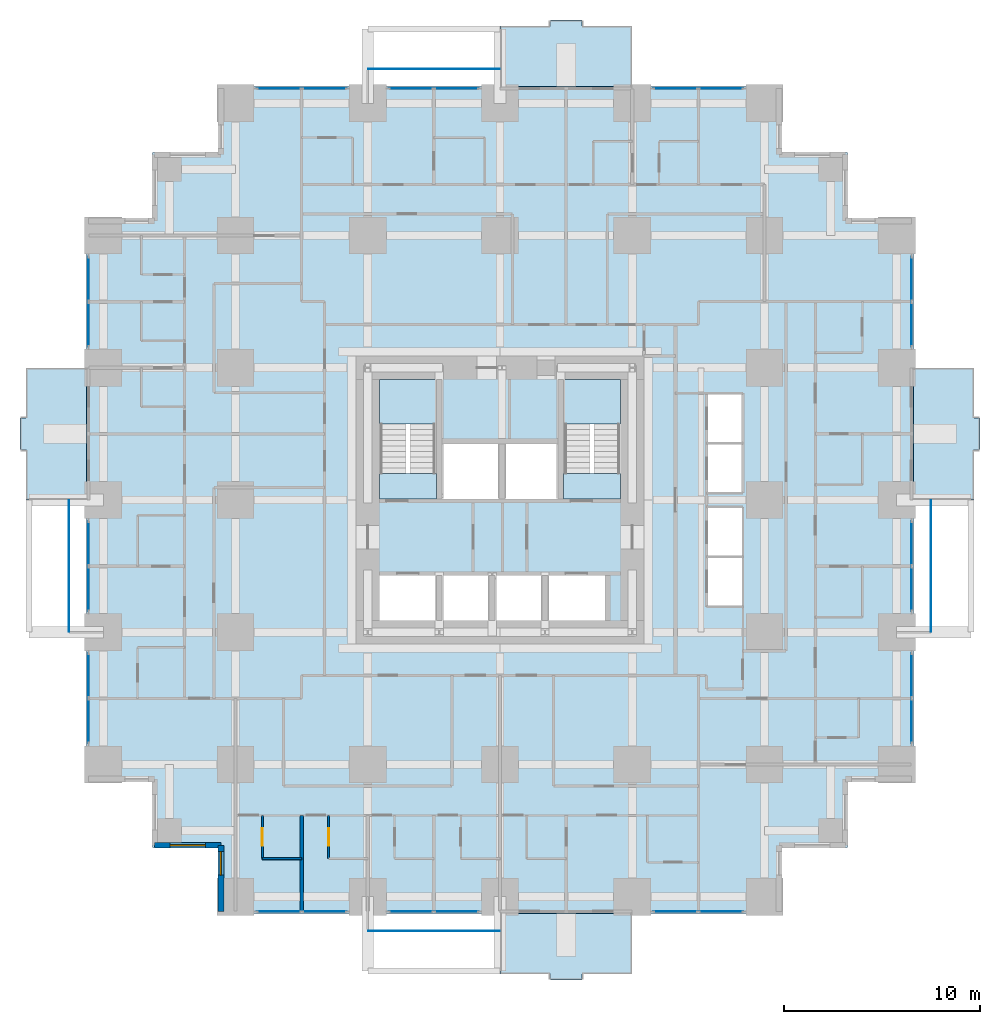
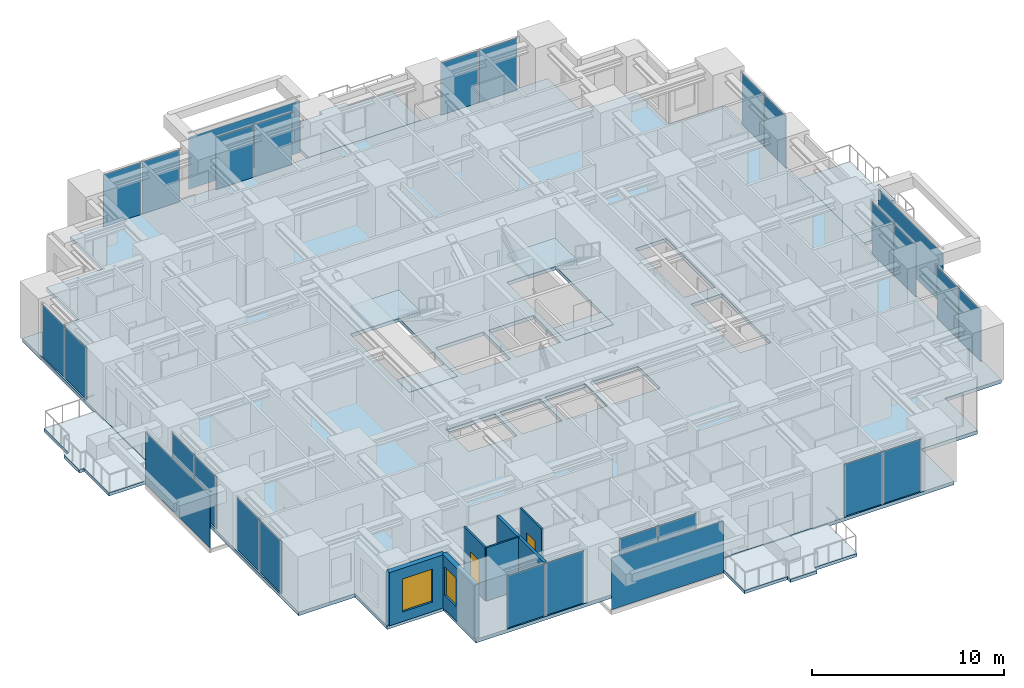
# One storey, part 7 of 14: 28 plates, 9 slabs, 6 walls, 2 doors, 2 windows, 4 openings, 14 elements without a shape of their own.
"""IFC4 building model written with IfcOpenShell, lengths in metres."""

from ifc_helpers import new_model, si_unit, direction, frame, frame_2d, origin, origin_2d, place, context, subcontext, project, spatial, polyline, rectangle, outline, extrude, material, layer, layer_set, type_object, element, fill, aggregate, save


model = new_model("IFC4")

# Units and contexts
model_context = context("Model", 3, precision=1e-05, world=origin(), true_north=direction((0.0, 1.0)))
body_context = subcontext(model_context, "Body", "Model", "MODEL_VIEW")
ifc_project = project(units=[si_unit("LENGTHUNIT", "METRE"), si_unit("AREAUNIT", "SQUARE_METRE"), si_unit("VOLUMEUNIT", "CUBIC_METRE"), si_unit("PLANEANGLEUNIT", "RADIAN"), si_unit("MASSUNIT", "GRAM", prefix="KILO")], contexts=[model_context])

# Site, building, storey
site_placement = place(None, origin())
site = spatial("IfcSite", under=ifc_project, at=site_placement, CompositionType="ELEMENT")
building_placement = place(site_placement, origin())
building = spatial("IfcBuilding", under=site, at=building_placement, Name="Nyansa Garden Tower", CompositionType="ELEMENT")
storey_placement = place(building_placement, frame((0.0, 0.0, 21.60009765625)))
storey = spatial("IfcBuildingStorey", under=building, at=storey_placement, Name="L05", CompositionType="ELEMENT", Elevation=21.60009765625)

# Slabs
ifc_material_1 = material(Name="Concrete C40/50", Category="concrete")
ifc_layer_1 = layer(ifc_material_1, 0.199951171875)
ifc_layer_set_1 = layer_set([ifc_layer_1], Name="Balcony slab BS200")
slab_type_1 = type_object("IfcSlabType", Name="Balcony slab BS200", PredefinedType="FLOOR", material=ifc_layer_set_1)
slab_1_placement = place(storey_placement, frame((0.0, 0.0, -0.239990234375)))
element("IfcSlab", 1, at=slab_1_placement, inside=storey, type_object=slab_type_1, Name="Balcony L05 S", PredefinedType="FLOOR", context=body_context, shape_type="SweptSolid", body=[
    extrude(outline(polyline([(20.25, -0.85009765625), (27.0, -0.85009765625), (27.0, -3.949951171875), (24.425048828125, -3.949951171875), (24.425048828125, -4.25), (22.824951171875, -4.25), (22.824951171875, -3.949951171875), (20.25, -3.949951171875), (20.25, -0.85009765625)])), origin(), (0.0, 0.0, 1.0), 0.199951171875),
])
slab_2_placement = place(storey_placement, frame((0.0, 0.0, -0.239990234375)))
element("IfcSlab", 2, at=slab_2_placement, inside=storey, type_object=slab_type_1, Name="Balcony L05 E", PredefinedType="FLOOR", context=body_context, shape_type="SweptSolid", body=[
    extrude(outline(polyline([(41.35009765625, 20.25), (41.35009765625, 27.0), (44.449951171875, 27.0), (44.449951171875, 24.425048828125), (44.75, 24.425048828125), (44.75, 22.824951171875), (44.449951171875, 22.824951171875), (44.449951171875, 20.25), (41.35009765625, 20.25)])), origin(), (0.0, 0.0, 1.0), 0.199951171875),
])
slab_3_placement = place(storey_placement, frame((0.0, 0.0, -0.239990234375)))
element("IfcSlab", 3, at=slab_3_placement, inside=storey, type_object=slab_type_1, Name="Balcony L05 N", PredefinedType="FLOOR", context=body_context, shape_type="SweptSolid", body=[
    extrude(outline(polyline([(20.25, 41.35009765625), (27.0, 41.35009765625), (27.0, 44.449951171875), (24.425048828125, 44.449951171875), (24.425048828125, 44.75), (22.824951171875, 44.75), (22.824951171875, 44.449951171875), (20.25, 44.449951171875), (20.25, 41.35009765625)])), origin(), (0.0, 0.0, 1.0), 0.199951171875),
])
slab_4_placement = place(storey_placement, frame((0.0, 0.0, -0.239990234375)))
element("IfcSlab", 4, at=slab_4_placement, inside=storey, type_object=slab_type_1, Name="Balcony L05 W", PredefinedType="FLOOR", context=body_context, shape_type="SweptSolid", body=[
    extrude(outline(polyline([(-0.85009765625, 20.25), (-0.85009765625, 27.0), (-3.949951171875, 27.0), (-3.949951171875, 24.425048828125), (-4.25, 24.425048828125), (-4.25, 22.824951171875), (-3.949951171875, 22.824951171875), (-3.949951171875, 20.25), (-0.85009765625, 20.25)])), origin(), (0.0, 0.0, 1.0), 0.199951171875),
])

# Curtain wall, plates
ifc_material_2 = material(Name="Black anodised aluminium, dark tinted double glazing", Category="aluminium")
curtain_wall_type = type_object("IfcCurtainWallType", Name="Inner skin curtain wall ISW-A", PredefinedType="USERDEFINED", material=ifc_material_2)
curtain_wall_1_placement = place(storey_placement, origin())
curtain_wall_1 = element("IfcCurtainWall", 5, at=curtain_wall_1_placement, inside=storey, type_object=curtain_wall_type, Name="Inner skin curtain wall L05 E", ObjectType="UNITISED CURTAIN WALL", PredefinedType="USERDEFINED")
ifc_material_3 = material(Name="Dark tinted laminated double glazing", Category="glass")
ifc_layer_2 = layer(ifc_material_3, 0.031982421875)
ifc_layer_set_2 = layer_set([ifc_layer_2], Name="Dark tinted vision panel VP-A")
plate_type_1 = type_object("IfcPlateType", Name="Dark tinted vision panel VP-A", PredefinedType="CURTAIN_PANEL", material=ifc_layer_set_2)
plate_1_placement = place(storey_placement, frame((41.25, 8.96240234375, -0.000244140625), z_axis=(0.0, 0.0, 1.0), x_axis=(0.0, 1.0, 0.0)))
plate_1 = element("IfcPlate", 6, at=plate_1_placement, type_object=plate_type_1, Name="ISW-A panel 1", PredefinedType="CURTAIN_PANEL", context=body_context, shape_type="SweptSolid", body=[
    extrude(rectangle(XDim=2.260009765625, YDim=0.031982421875, at=origin_2d()), origin(), (0.0, 0.0, 1.0), 3.31005859375),
])
plate_2_placement = place(storey_placement, frame((41.25, 11.28759765625, -0.000244140625), z_axis=(0.0, 0.0, 1.0), x_axis=(0.0, 1.0, 0.0)))
plate_2 = element("IfcPlate", 7, at=plate_2_placement, type_object=plate_type_1, Name="ISW-A panel 2", PredefinedType="CURTAIN_PANEL", context=body_context, shape_type="SweptSolid", body=[
    extrude(rectangle(XDim=2.260009765625, YDim=0.031982421875, at=origin_2d()), origin(), (0.0, 0.0, 1.0), 3.31005859375),
])
aggregate(curtain_wall_1, [plate_1, plate_2])

curtain_wall_2_placement = place(storey_placement, origin())
curtain_wall_2 = element("IfcCurtainWall", 8, at=curtain_wall_2_placement, inside=storey, type_object=curtain_wall_type, Name="Inner skin curtain wall L05 E", ObjectType="UNITISED CURTAIN WALL", PredefinedType="USERDEFINED")
plate_3_placement = place(storey_placement, frame((41.25, 15.71240234375, -0.000244140625), z_axis=(0.0, 0.0, 1.0), x_axis=(0.0, 1.0, 0.0)))
plate_3 = element("IfcPlate", 9, at=plate_3_placement, type_object=plate_type_1, Name="ISW-A panel 1", PredefinedType="CURTAIN_PANEL", context=body_context, shape_type="SweptSolid", body=[
    extrude(rectangle(XDim=2.260009765625, YDim=0.031982421875, at=origin_2d()), origin(), (0.0, 0.0, 1.0), 3.31005859375),
])
plate_4_placement = place(storey_placement, frame((41.25, 18.03759765625, -0.000244140625), z_axis=(0.0, 0.0, 1.0), x_axis=(0.0, 1.0, 0.0)))
plate_4 = element("IfcPlate", 10, at=plate_4_placement, type_object=plate_type_1, Name="ISW-A panel 2", PredefinedType="CURTAIN_PANEL", context=body_context, shape_type="SweptSolid", body=[
    extrude(rectangle(XDim=2.260009765625, YDim=0.031982421875, at=origin_2d()), origin(), (0.0, 0.0, 1.0), 3.31005859375),
])
aggregate(curtain_wall_2, [plate_3, plate_4])

curtain_wall_3_placement = place(storey_placement, origin())
curtain_wall_3 = element("IfcCurtainWall", 11, at=curtain_wall_3_placement, inside=storey, type_object=curtain_wall_type, Name="Inner skin curtain wall L05 E", ObjectType="UNITISED CURTAIN WALL", PredefinedType="USERDEFINED")
plate_5_placement = place(storey_placement, frame((41.25, 29.21240234375, -0.000244140625), z_axis=(0.0, 0.0, 1.0), x_axis=(0.0, 1.0, 0.0)))
plate_5 = element("IfcPlate", 12, at=plate_5_placement, type_object=plate_type_1, Name="ISW-A panel 1", PredefinedType="CURTAIN_PANEL", context=body_context, shape_type="SweptSolid", body=[
    extrude(rectangle(XDim=2.260009765625, YDim=0.031982421875, at=origin_2d()), origin(), (0.0, 0.0, 1.0), 3.31005859375),
])
plate_6_placement = place(storey_placement, frame((41.25, 31.53759765625, -0.000244140625), z_axis=(0.0, 0.0, 1.0), x_axis=(0.0, 1.0, 0.0)))
plate_6 = element("IfcPlate", 13, at=plate_6_placement, type_object=plate_type_1, Name="ISW-A panel 2", PredefinedType="CURTAIN_PANEL", context=body_context, shape_type="SweptSolid", body=[
    extrude(rectangle(XDim=2.260009765625, YDim=0.031982421875, at=origin_2d()), origin(), (0.0, 0.0, 1.0), 3.31005859375),
])
aggregate(curtain_wall_3, [plate_5, plate_6])

curtain_wall_4_placement = place(storey_placement, origin())
curtain_wall_4 = element("IfcCurtainWall", 14, at=curtain_wall_4_placement, inside=storey, type_object=curtain_wall_type, Name="Inner skin curtain wall L05 N", ObjectType="UNITISED CURTAIN WALL", PredefinedType="USERDEFINED")
plate_7_placement = place(storey_placement, frame((18.03759765625, 41.25, -0.000244140625), z_axis=(0.0, 0.0, 1.0), x_axis=(-1.0, 0.0, 0.0)))
plate_7 = element("IfcPlate", 15, at=plate_7_placement, type_object=plate_type_1, Name="ISW-A panel 1", PredefinedType="CURTAIN_PANEL", context=body_context, shape_type="SweptSolid", body=[
    extrude(rectangle(XDim=2.260009765625, YDim=0.031982421875, at=origin_2d()), origin(), (0.0, 0.0, 1.0), 3.31005859375),
])
plate_8_placement = place(storey_placement, frame((15.71240234375, 41.25, -0.000244140625), z_axis=(0.0, 0.0, 1.0), x_axis=(-1.0, 0.0, 0.0)))
plate_8 = element("IfcPlate", 16, at=plate_8_placement, type_object=plate_type_1, Name="ISW-A panel 2", PredefinedType="CURTAIN_PANEL", context=body_context, shape_type="SweptSolid", body=[
    extrude(rectangle(XDim=2.260009765625, YDim=0.031982421875, at=origin_2d()), origin(), (0.0, 0.0, 1.0), 3.31005859375),
])
aggregate(curtain_wall_4, [plate_7, plate_8])

curtain_wall_5_placement = place(storey_placement, origin())
curtain_wall_5 = element("IfcCurtainWall", 17, at=curtain_wall_5_placement, inside=storey, type_object=curtain_wall_type, Name="Inner skin curtain wall L05 N", ObjectType="UNITISED CURTAIN WALL", PredefinedType="USERDEFINED")
plate_9_placement = place(storey_placement, frame((11.28759765625, 41.25, -0.000244140625), z_axis=(0.0, 0.0, 1.0), x_axis=(-1.0, 0.0, 0.0)))
plate_9 = element("IfcPlate", 18, at=plate_9_placement, type_object=plate_type_1, Name="ISW-A panel 1", PredefinedType="CURTAIN_PANEL", context=body_context, shape_type="SweptSolid", body=[
    extrude(rectangle(XDim=2.260009765625, YDim=0.031982421875, at=origin_2d()), origin(), (0.0, 0.0, 1.0), 3.31005859375),
])
plate_10_placement = place(storey_placement, frame((8.96240234375, 41.25, -0.000244140625), z_axis=(0.0, 0.0, 1.0), x_axis=(-1.0, 0.0, 0.0)))
plate_10 = element("IfcPlate", 19, at=plate_10_placement, type_object=plate_type_1, Name="ISW-A panel 2", PredefinedType="CURTAIN_PANEL", context=body_context, shape_type="SweptSolid", body=[
    extrude(rectangle(XDim=2.260009765625, YDim=0.031982421875, at=origin_2d()), origin(), (0.0, 0.0, 1.0), 3.31005859375),
])
aggregate(curtain_wall_5, [plate_9, plate_10])

curtain_wall_6_placement = place(storey_placement, origin())
curtain_wall_6 = element("IfcCurtainWall", 20, at=curtain_wall_6_placement, inside=storey, type_object=curtain_wall_type, Name="Inner skin curtain wall L05 N", ObjectType="UNITISED CURTAIN WALL", PredefinedType="USERDEFINED")
plate_11_placement = place(storey_placement, frame((31.53759765625, 41.25, -0.000244140625), z_axis=(0.0, 0.0, 1.0), x_axis=(-1.0, 0.0, 0.0)))
plate_11 = element("IfcPlate", 21, at=plate_11_placement, type_object=plate_type_1, Name="ISW-A panel 1", PredefinedType="CURTAIN_PANEL", context=body_context, shape_type="SweptSolid", body=[
    extrude(rectangle(XDim=2.260009765625, YDim=0.031982421875, at=origin_2d()), origin(), (0.0, 0.0, 1.0), 3.31005859375),
])
plate_12_placement = place(storey_placement, frame((29.21240234375, 41.25, -0.000244140625), z_axis=(0.0, 0.0, 1.0), x_axis=(-1.0, 0.0, 0.0)))
plate_12 = element("IfcPlate", 22, at=plate_12_placement, type_object=plate_type_1, Name="ISW-A panel 2", PredefinedType="CURTAIN_PANEL", context=body_context, shape_type="SweptSolid", body=[
    extrude(rectangle(XDim=2.260009765625, YDim=0.031982421875, at=origin_2d()), origin(), (0.0, 0.0, 1.0), 3.31005859375),
])
aggregate(curtain_wall_6, [plate_11, plate_12])

curtain_wall_7_placement = place(storey_placement, origin())
curtain_wall_7 = element("IfcCurtainWall", 23, at=curtain_wall_7_placement, inside=storey, type_object=curtain_wall_type, Name="Inner skin curtain wall L05 W", ObjectType="UNITISED CURTAIN WALL", PredefinedType="USERDEFINED")
plate_13_placement = place(storey_placement, frame((-0.75, 18.03759765625, -0.000244140625), z_axis=(0.0, 0.0, 1.0), x_axis=(0.0, -1.0, 0.0)))
plate_13 = element("IfcPlate", 24, at=plate_13_placement, type_object=plate_type_1, Name="ISW-A panel 1", PredefinedType="CURTAIN_PANEL", context=body_context, shape_type="SweptSolid", body=[
    extrude(rectangle(XDim=2.260009765625, YDim=0.031982421875, at=origin_2d()), origin(), (0.0, 0.0, 1.0), 3.31005859375),
])
plate_14_placement = place(storey_placement, frame((-0.75, 15.71240234375, -0.000244140625), z_axis=(0.0, 0.0, 1.0), x_axis=(0.0, -1.0, 0.0)))
plate_14 = element("IfcPlate", 25, at=plate_14_placement, type_object=plate_type_1, Name="ISW-A panel 2", PredefinedType="CURTAIN_PANEL", context=body_context, shape_type="SweptSolid", body=[
    extrude(rectangle(XDim=2.260009765625, YDim=0.031982421875, at=origin_2d()), origin(), (0.0, 0.0, 1.0), 3.31005859375),
])
aggregate(curtain_wall_7, [plate_13, plate_14])

curtain_wall_8_placement = place(storey_placement, origin())
curtain_wall_8 = element("IfcCurtainWall", 26, at=curtain_wall_8_placement, inside=storey, type_object=curtain_wall_type, Name="Inner skin curtain wall L05 W", ObjectType="UNITISED CURTAIN WALL", PredefinedType="USERDEFINED")
plate_15_placement = place(storey_placement, frame((-0.75, 11.28759765625, -0.000244140625), z_axis=(0.0, 0.0, 1.0), x_axis=(0.0, -1.0, 0.0)))
plate_15 = element("IfcPlate", 27, at=plate_15_placement, type_object=plate_type_1, Name="ISW-A panel 1", PredefinedType="CURTAIN_PANEL", context=body_context, shape_type="SweptSolid", body=[
    extrude(rectangle(XDim=2.260009765625, YDim=0.031982421875, at=origin_2d()), origin(), (0.0, 0.0, 1.0), 3.31005859375),
])
plate_16_placement = place(storey_placement, frame((-0.75, 8.96240234375, -0.000244140625), z_axis=(0.0, 0.0, 1.0), x_axis=(0.0, -1.0, 0.0)))
plate_16 = element("IfcPlate", 28, at=plate_16_placement, type_object=plate_type_1, Name="ISW-A panel 2", PredefinedType="CURTAIN_PANEL", context=body_context, shape_type="SweptSolid", body=[
    extrude(rectangle(XDim=2.260009765625, YDim=0.031982421875, at=origin_2d()), origin(), (0.0, 0.0, 1.0), 3.31005859375),
])
aggregate(curtain_wall_8, [plate_15, plate_16])

curtain_wall_9_placement = place(storey_placement, origin())
curtain_wall_9 = element("IfcCurtainWall", 29, at=curtain_wall_9_placement, inside=storey, type_object=curtain_wall_type, Name="Inner skin curtain wall L05 W", ObjectType="UNITISED CURTAIN WALL", PredefinedType="USERDEFINED")
plate_17_placement = place(storey_placement, frame((-0.75, 31.53759765625, -0.000244140625), z_axis=(0.0, 0.0, 1.0), x_axis=(0.0, -1.0, 0.0)))
plate_17 = element("IfcPlate", 30, at=plate_17_placement, type_object=plate_type_1, Name="ISW-A panel 1", PredefinedType="CURTAIN_PANEL", context=body_context, shape_type="SweptSolid", body=[
    extrude(rectangle(XDim=2.260009765625, YDim=0.031982421875, at=origin_2d()), origin(), (0.0, 0.0, 1.0), 3.31005859375),
])
plate_18_placement = place(storey_placement, frame((-0.75, 29.21240234375, -0.000244140625), z_axis=(0.0, 0.0, 1.0), x_axis=(0.0, -1.0, 0.0)))
plate_18 = element("IfcPlate", 31, at=plate_18_placement, type_object=plate_type_1, Name="ISW-A panel 2", PredefinedType="CURTAIN_PANEL", context=body_context, shape_type="SweptSolid", body=[
    extrude(rectangle(XDim=2.260009765625, YDim=0.031982421875, at=origin_2d()), origin(), (0.0, 0.0, 1.0), 3.31005859375),
])
aggregate(curtain_wall_9, [plate_17, plate_18])

curtain_wall_10_placement = place(storey_placement, origin())
curtain_wall_10 = element("IfcCurtainWall", 32, at=curtain_wall_10_placement, inside=storey, type_object=curtain_wall_type, Name="Inner skin curtain wall L05 S", ObjectType="UNITISED CURTAIN WALL", PredefinedType="USERDEFINED")
plate_19_placement = place(storey_placement, frame((8.96240234375, -0.75, -0.000244140625), z_axis=(0.0, 0.0, 1.0), x_axis=(1.0, 0.0, 0.0)))
plate_19 = element("IfcPlate", 33, at=plate_19_placement, type_object=plate_type_1, Name="ISW-A panel 1", PredefinedType="CURTAIN_PANEL", context=body_context, shape_type="SweptSolid", body=[
    extrude(rectangle(XDim=2.260009765625, YDim=0.031982421875, at=origin_2d()), origin(), (0.0, 0.0, 1.0), 3.31005859375),
])
plate_20_placement = place(storey_placement, frame((11.28759765625, -0.75, -0.000244140625), z_axis=(0.0, 0.0, 1.0), x_axis=(1.0, 0.0, 0.0)))
plate_20 = element("IfcPlate", 34, at=plate_20_placement, type_object=plate_type_1, Name="ISW-A panel 2", PredefinedType="CURTAIN_PANEL", context=body_context, shape_type="SweptSolid", body=[
    extrude(rectangle(XDim=2.260009765625, YDim=0.031982421875, at=origin_2d()), origin(), (0.0, 0.0, 1.0), 3.31005859375),
])
aggregate(curtain_wall_10, [plate_19, plate_20])

curtain_wall_11_placement = place(storey_placement, origin())
curtain_wall_11 = element("IfcCurtainWall", 35, at=curtain_wall_11_placement, inside=storey, type_object=curtain_wall_type, Name="Inner skin curtain wall L05 S", ObjectType="UNITISED CURTAIN WALL", PredefinedType="USERDEFINED")
plate_21_placement = place(storey_placement, frame((15.71240234375, -0.75, -0.000244140625), z_axis=(0.0, 0.0, 1.0), x_axis=(1.0, 0.0, 0.0)))
plate_21 = element("IfcPlate", 36, at=plate_21_placement, type_object=plate_type_1, Name="ISW-A panel 1", PredefinedType="CURTAIN_PANEL", context=body_context, shape_type="SweptSolid", body=[
    extrude(rectangle(XDim=2.260009765625, YDim=0.031982421875, at=origin_2d()), origin(), (0.0, 0.0, 1.0), 3.31005859375),
])
plate_22_placement = place(storey_placement, frame((18.03759765625, -0.75, -0.000244140625), z_axis=(0.0, 0.0, 1.0), x_axis=(1.0, 0.0, 0.0)))
plate_22 = element("IfcPlate", 37, at=plate_22_placement, type_object=plate_type_1, Name="ISW-A panel 2", PredefinedType="CURTAIN_PANEL", context=body_context, shape_type="SweptSolid", body=[
    extrude(rectangle(XDim=2.260009765625, YDim=0.031982421875, at=origin_2d()), origin(), (0.0, 0.0, 1.0), 3.31005859375),
])
aggregate(curtain_wall_11, [plate_21, plate_22])

curtain_wall_12_placement = place(storey_placement, origin())
curtain_wall_12 = element("IfcCurtainWall", 38, at=curtain_wall_12_placement, inside=storey, type_object=curtain_wall_type, Name="Inner skin curtain wall L05 S", ObjectType="UNITISED CURTAIN WALL", PredefinedType="USERDEFINED")
plate_23_placement = place(storey_placement, frame((29.21240234375, -0.75, -0.000244140625), z_axis=(0.0, 0.0, 1.0), x_axis=(1.0, 0.0, 0.0)))
plate_23 = element("IfcPlate", 39, at=plate_23_placement, type_object=plate_type_1, Name="ISW-A panel 1", PredefinedType="CURTAIN_PANEL", context=body_context, shape_type="SweptSolid", body=[
    extrude(rectangle(XDim=2.260009765625, YDim=0.031982421875, at=origin_2d()), origin(), (0.0, 0.0, 1.0), 3.31005859375),
])
plate_24_placement = place(storey_placement, frame((31.53759765625, -0.75, -0.000244140625), z_axis=(0.0, 0.0, 1.0), x_axis=(1.0, 0.0, 0.0)))
plate_24 = element("IfcPlate", 40, at=plate_24_placement, type_object=plate_type_1, Name="ISW-A panel 2", PredefinedType="CURTAIN_PANEL", context=body_context, shape_type="SweptSolid", body=[
    extrude(rectangle(XDim=2.260009765625, YDim=0.031982421875, at=origin_2d()), origin(), (0.0, 0.0, 1.0), 3.31005859375),
])
aggregate(curtain_wall_12, [plate_23, plate_24])

# Slab
ifc_material_4 = material(Name="Concrete C40/50", Category="concrete")
ifc_layer_3 = layer(ifc_material_4, 0.22509765625)
ifc_layer_set_3 = layer_set([ifc_layer_3], Name="Floor slab FS225")
slab_type_2 = type_object("IfcSlabType", Name="Floor slab FS225", PredefinedType="FLOOR", material=ifc_layer_set_3)
slab_5_placement = place(storey_placement, frame((0.0, 0.0, -0.22509765625)))
element("IfcSlab", 41, at=slab_5_placement, inside=storey, type_object=slab_type_2, Name="Floor slab L05", PredefinedType="FLOOR", context=body_context, shape_type="SweptSolid", body=[
    extrude(outline(polyline([(41.35009765625, 5.89990234375), (37.97509765625, 5.89990234375), (37.97509765625, 2.52490234375), (34.60009765625, 2.52490234375), (34.60009765625, -0.85009765625), (5.89990234375, -0.85009765625), (5.89990234375, 2.52490234375), (2.52490234375, 2.52490234375), (2.52490234375, 5.89990234375), (-0.85009765625, 5.89990234375), (-0.85009765625, 34.60009765625), (2.52490234375, 34.60009765625), (2.52490234375, 37.97509765625), (5.89990234375, 37.97509765625), (5.89990234375, 41.35009765625), (34.60009765625, 41.35009765625), (34.60009765625, 37.97509765625), (37.97509765625, 37.97509765625), (37.97509765625, 34.60009765625), (41.35009765625, 34.60009765625), (41.35009765625, 5.89990234375)]), holes=[polyline([(14.10009765625, 14.10009765625), (17.0, 14.10009765625), (17.0, 16.39990234375), (14.10009765625, 16.39990234375), (14.10009765625, 14.10009765625)]), polyline([(17.300048828125, 14.10009765625), (19.699951171875, 14.10009765625), (19.699951171875, 16.39990234375), (17.300048828125, 16.39990234375), (17.300048828125, 14.10009765625)]), polyline([(20.0, 14.10009765625), (22.39990234375, 14.10009765625), (22.39990234375, 16.39990234375), (20.0, 16.39990234375), (20.0, 14.10009765625)]), polyline([(22.699951171875, 14.10009765625), (25.60009765625, 14.10009765625), (25.60009765625, 16.39990234375), (22.699951171875, 16.39990234375), (22.699951171875, 14.10009765625)]), polyline([(17.300048828125, 20.300048828125), (20.199951171875, 20.300048828125), (20.199951171875, 23.10009765625), (17.300048828125, 23.10009765625), (17.300048828125, 20.300048828125)]), polyline([(20.5, 20.300048828125), (23.199951171875, 20.300048828125), (23.199951171875, 23.10009765625), (20.5, 23.10009765625), (20.5, 20.300048828125)]), polyline([(30.800048828125, 14.800048828125), (32.64990234375, 14.800048828125), (32.64990234375, 19.89990234375), (30.800048828125, 19.89990234375), (30.800048828125, 14.800048828125)]), polyline([(30.800048828125, 20.60009765625), (32.64990234375, 20.60009765625), (32.64990234375, 25.699951171875), (30.800048828125, 25.699951171875), (30.800048828125, 20.60009765625)]), polyline([(14.10009765625, 20.300048828125), (17.0, 20.300048828125), (17.0, 26.39990234375), (14.10009765625, 26.39990234375), (14.10009765625, 20.300048828125)]), polyline([(23.5, 20.300048828125), (26.39990234375, 20.300048828125), (26.39990234375, 26.39990234375), (23.5, 26.39990234375), (23.5, 20.300048828125)])]), origin(), (0.0, 0.0, 1.0), 0.22509765625),
])

# Plates
ifc_material_5 = material(Name="Dark tinted laminated glass", Category="glass")
ifc_layer_4 = layer(ifc_material_5, 0.02392578125)
ifc_layer_set_4 = layer_set([ifc_layer_4], Name="Outer skin glass panel OS1")
plate_type_2 = type_object("IfcPlateType", Name="Outer skin glass panel OS1", PredefinedType="USERDEFINED", material=ifc_layer_set_4)
for number, where, z_axis, x_axis, name in (
    (42, (42.25, 16.875, -0.22509765625), (0.0, 0.0, 1.0), (0.0, 1.0, 0.0), "Outer skin glass panel L05"),
    (43, (16.875, 42.25, -0.22509765625), (0.0, 0.0, 1.0), (1.0, 0.0, 0.0), "Outer skin glass panel L05"),
    (44, (-1.75, 16.875, -0.22509765625), (0.0, 0.0, 1.0), (0.0, 1.0, 0.0), "Outer skin glass panel L05"),
    (45, (16.875, -1.75, -0.22509765625), (0.0, 0.0, 1.0), (1.0, 0.0, 0.0), "Outer skin glass panel L05"),
):
    element("IfcPlate", number, at=place(storey_placement, frame(where, z_axis=z_axis, x_axis=x_axis)), inside=storey, type_object=plate_type_2, Name=name, ObjectType="OUTER SKIN GLASS", PredefinedType="USERDEFINED", context=body_context, shape_type="SweptSolid", body=[
        extrude(rectangle(XDim=6.7099609375, YDim=0.02392578125, at=origin_2d()), origin(), (0.0, 0.0, 1.0), 3.300048828125),
    ])

# Stair, slabs
ifc_material_6 = material(Name="Precast concrete C40/50", Category="concrete")
stair_type_1 = type_object("IfcStairType", Name="Stair S1 180x280", PredefinedType="HALF_TURN_STAIR", material=ifc_material_6)
stair_1_placement = place(storey_placement, origin())
stair_1 = element("IfcStair", 46, at=stair_1_placement, inside=storey, type_object=stair_type_1, Name="Stair S1 L05", PredefinedType="HALF_TURN_STAIR")
ifc_material_7 = material(Name="Concrete C40/50", Category="concrete")
ifc_layer_5 = layer(ifc_material_7, 0.199951171875)
ifc_layer_set_5 = layer_set([ifc_layer_5], Name="Stair landing SL200")
slab_type_3 = type_object("IfcSlabType", Name="Stair landing SL200", PredefinedType="LANDING", material=ifc_layer_set_5)
slab_6_placement = place(storey_placement, frame((0.0, 0.0, -0.2001953125)))
slab_6 = element("IfcSlab", 47, at=slab_6_placement, type_object=slab_type_3, Name="S1 landing 1", PredefinedType="LANDING", context=body_context, shape_type="SweptSolid", body=[
    extrude(outline(polyline([(14.10009765625, 20.300048828125), (17.0, 20.300048828125), (17.0, 21.60009765625), (14.10009765625, 21.60009765625), (14.10009765625, 20.300048828125)])), origin(), (0.0, 0.0, 1.0), 0.2001953125),
])
slab_7_placement = place(storey_placement, frame((0.0, 0.0, 1.599853515625)))
slab_7 = element("IfcSlab", 48, at=slab_7_placement, type_object=slab_type_3, Name="S1 landing 2", PredefinedType="LANDING", context=body_context, shape_type="SweptSolid", body=[
    extrude(outline(polyline([(14.10009765625, 24.1201171875), (17.0, 24.1201171875), (17.0, 26.39990234375), (14.10009765625, 26.39990234375), (14.10009765625, 24.1201171875)])), origin(), (0.0, 0.0, 1.0), 0.199951171875),
])
aggregate(stair_1, [slab_6, slab_7])

ifc_material_8 = material(Name="Precast concrete C40/50", Category="concrete")
stair_type_2 = type_object("IfcStairType", Name="Stair S2 180x280", PredefinedType="HALF_TURN_STAIR", material=ifc_material_8)
stair_2_placement = place(storey_placement, origin())
stair_2 = element("IfcStair", 49, at=stair_2_placement, inside=storey, type_object=stair_type_2, Name="Stair S2 L05", PredefinedType="HALF_TURN_STAIR")
slab_8_placement = place(storey_placement, frame((0.0, 0.0, -0.2001953125)))
slab_8 = element("IfcSlab", 50, at=slab_8_placement, type_object=slab_type_3, Name="S2 landing 1", PredefinedType="LANDING", context=body_context, shape_type="SweptSolid", body=[
    extrude(outline(polyline([(23.5, 20.300048828125), (26.39990234375, 20.300048828125), (26.39990234375, 21.60009765625), (23.5, 21.60009765625), (23.5, 20.300048828125)])), origin(), (0.0, 0.0, 1.0), 0.2001953125),
])
slab_9_placement = place(storey_placement, frame((0.0, 0.0, 1.599853515625)))
slab_9 = element("IfcSlab", 51, at=slab_9_placement, type_object=slab_type_3, Name="S2 landing 2", PredefinedType="LANDING", context=body_context, shape_type="SweptSolid", body=[
    extrude(outline(polyline([(23.5, 24.1201171875), (26.39990234375, 24.1201171875), (26.39990234375, 26.39990234375), (23.5, 26.39990234375), (23.5, 24.1201171875)])), origin(), (0.0, 0.0, 1.0), 0.199951171875),
])
aggregate(stair_2, [slab_8, slab_9])

# Wall
ifc_material_9 = material(Name="Dense blockwork, plastered both sides, 55 dB", Category="masonry")
ifc_layer_6 = layer(ifc_material_9, 0.175048828125)
ifc_layer_set_6 = layer_set([ifc_layer_6], Name="Acoustic party wall PW175")
wall_type_1 = type_object("IfcWallType", Name="Acoustic party wall PW175", PredefinedType="PARTITIONING", material=ifc_layer_set_6)
wall_1_placement = place(storey_placement, frame((10.125, -0.73388671875, 0.0), z_axis=(0.0, 0.0, 1.0), x_axis=(0.0, 1.0, 0.0)))
element("IfcWall", 52, at=wall_1_placement, inside=storey, type_object=wall_type_1, Name="Party wall", PredefinedType="PARTITIONING", context=body_context, shape_type="SweptSolid", body=[
    extrude(rectangle(XDim=4.8837890625, YDim=0.175048828125, at=frame_2d((2.44189453125, 0.0))), origin(), (0.0, 0.0, 1.0), 3.375),
])

# Wall, opening, window
ifc_material_10 = material(Name="Turquoise glazed tile on concrete blockwork", Category="masonry")
ifc_layer_7 = layer(ifc_material_10, 0.300048828125)
ifc_layer_set_7 = layer_set([ifc_layer_7], Name="Tiled corner wall TW300")
wall_type_2 = type_object("IfcWallType", Name="Tiled corner wall TW300", PredefinedType="SOLIDWALL", material=ifc_layer_set_7)
wall_2_placement = place(storey_placement, frame((2.625, 2.625, 0.0), z_axis=(0.0, 0.0, 1.0), x_axis=(1.0, 0.0, 0.0)))
wall_2 = element("IfcWall", 53, at=wall_2_placement, inside=storey, type_object=wall_type_2, Name="Tiled corner wall L05", PredefinedType="SOLIDWALL", context=body_context, shape_type="SweptSolid", body=[
    extrude(rectangle(XDim=3.375, YDim=0.300048828125, at=frame_2d((1.6875, 0.0))), origin(), (0.0, 0.0, 1.0), 3.375),
])
opening_1_placement = place(wall_2_placement, frame((0.78759765625, 0.0, 0.60009765625)))
opening_1 = element("IfcOpeningElement", 54, at=opening_1_placement, cuts=wall_2, Name="Opening W2", PredefinedType="OPENING", context=body_context, shape_type="SweptSolid", body=[
    extrude(rectangle(XDim=1.800048828125, YDim=2.10009765625, at=frame_2d((0.89990234375, 1.050048828125))), frame((0.0, 0.159912109375, 0.0), z_axis=(0.0, -1.0, 0.0), x_axis=(1.0, 0.0, 0.0)), (0.0, 0.0, 1.0), 0.320068359375),
])
ifc_material_11 = material(Name="Black aluminium frame, dark tinted double glazing", Category="aluminium")
window_type_1 = type_object("IfcWindowType", Name="Window W2 1800x2100", PartitioningType="SINGLE_PANEL", PredefinedType="WINDOW", material=ifc_material_11)
window_1_placement = place(opening_1_placement, origin())
window_1 = element("IfcWindow", 55, at=window_1_placement, inside=storey, type_object=window_type_1, Name="Corner window L05", OverallHeight=2.10009765625, OverallWidth=1.800048828125, PartitioningType="SINGLE_PANEL", PredefinedType="WINDOW", context=body_context, shape_type="SweptSolid", body=[
    extrude(rectangle(XDim=1.800048828125, YDim=2.10009765625, at=frame_2d((0.89990234375, 1.050048828125))), frame((0.0, 0.030029296875, 0.0), z_axis=(0.0, -1.0, 0.0), x_axis=(1.0, 0.0, 0.0)), (0.0, 0.0, 1.0), 0.06005859375),
])
fill(opening_1, window_1)

wall_3_placement = place(storey_placement, frame((6.0, 2.625, 0.0), z_axis=(0.0, 0.0, 1.0), x_axis=(0.0, -1.0, 0.0)))
wall_3 = element("IfcWall", 56, at=wall_3_placement, inside=storey, type_object=wall_type_2, Name="Tiled corner wall L05", PredefinedType="SOLIDWALL", context=body_context, shape_type="SweptSolid", body=[
    extrude(rectangle(XDim=3.375, YDim=0.300048828125, at=frame_2d((1.6875, 0.0))), origin(), (0.0, 0.0, 1.0), 3.375),
])
opening_2_placement = place(wall_3_placement, frame((0.3173828125, 0.0, 0.89990234375)))
opening_2 = element("IfcOpeningElement", 57, at=opening_2_placement, cuts=wall_3, Name="Opening W4", PredefinedType="OPENING", context=body_context, shape_type="SweptSolid", body=[
    extrude(rectangle(XDim=1.199951171875, YDim=1.800048828125, at=frame_2d((0.60009765625, 0.89990234375))), frame((0.0, 0.159912109375, 0.0), z_axis=(0.0, -1.0, 0.0), x_axis=(1.0, 0.0, 0.0)), (0.0, 0.0, 1.0), 0.320068359375),
])
ifc_material_12 = material(Name="Black aluminium frame, dark tinted double glazing", Category="aluminium")
window_type_2 = type_object("IfcWindowType", Name="Window W4 1200x1800", PartitioningType="SINGLE_PANEL", PredefinedType="WINDOW", material=ifc_material_12)
window_2_placement = place(opening_2_placement, origin())
window_2 = element("IfcWindow", 58, at=window_2_placement, inside=storey, type_object=window_type_2, Name="Corner window L05", OverallHeight=1.800048828125, OverallWidth=1.199951171875, PartitioningType="SINGLE_PANEL", PredefinedType="WINDOW", context=body_context, shape_type="SweptSolid", body=[
    extrude(rectangle(XDim=1.199951171875, YDim=1.800048828125, at=frame_2d((0.60009765625, 0.89990234375))), frame((0.0, 0.030029296875, 0.0), z_axis=(0.0, -1.0, 0.0), x_axis=(1.0, 0.0, 0.0)), (0.0, 0.0, 1.0), 0.06005859375),
])
fill(opening_2, window_2)

# Wall, opening, door
ifc_material_13 = material(Name="Moisture resistant board on steel studs, tiled", Category="steel")
ifc_layer_8 = layer(ifc_material_13, 0.10009765625)
ifc_layer_set_8 = layer_set([ifc_layer_8], Name="Wet wall PW100")
wall_type_3 = type_object("IfcWallType", Name="Wet wall PW100", PredefinedType="PARTITIONING", material=ifc_layer_set_8)
wall_4_placement = place(storey_placement, frame((8.125, 1.949951171875, 0.0), z_axis=(0.0, 0.0, 1.0), x_axis=(0.0, 1.0, 0.0)))
wall_4 = element("IfcWall", 59, at=wall_4_placement, inside=storey, type_object=wall_type_3, Name="Wet wall", PredefinedType="PARTITIONING", context=body_context, shape_type="SweptSolid", body=[
    extrude(rectangle(XDim=2.199951171875, YDim=0.10009765625, at=frame_2d((1.10009765625, 0.0))), origin(), (0.0, 0.0, 1.0), 3.375),
])
opening_3_placement = place(wall_4_placement, frame((0.64990234375, 0.0, 0.0)))
opening_3 = element("IfcOpeningElement", 60, at=opening_3_placement, cuts=wall_4, Name="Opening D02", PredefinedType="OPENING", context=body_context, shape_type="SweptSolid", body=[
    extrude(rectangle(XDim=0.89990234375, YDim=2.199951171875, at=frame_2d((0.449951171875, 1.10009765625))), frame((0.0, 0.06005859375, 0.0), z_axis=(0.0, -1.0, 0.0), x_axis=(1.0, 0.0, 0.0)), (0.0, 0.0, 1.0), 0.1201171875),
])
ifc_material_14 = material(Name="Timber flush door", Category="wood")
door_type = type_object("IfcDoorType", Name="En-suite door D02 900x2200", OperationType="SINGLE_SWING_RIGHT", PredefinedType="DOOR", material=ifc_material_14)
door_1_placement = place(opening_3_placement, origin())
door_1 = element("IfcDoor", 61, at=door_1_placement, inside=storey, type_object=door_type, Name="Door L05-020", OperationType="SINGLE_SWING_RIGHT", OverallHeight=2.199951171875, OverallWidth=0.89990234375, PredefinedType="DOOR", context=body_context, shape_type="SweptSolid", body=[
    extrude(rectangle(XDim=0.89990234375, YDim=2.199951171875, at=frame_2d((0.449951171875, 1.10009765625))), frame((0.0, 0.02490234375, 0.0), z_axis=(0.0, -1.0, 0.0), x_axis=(1.0, 0.0, 0.0)), (0.0, 0.0, 1.0), 0.050048828125),
])
fill(opening_3, door_1)

# Wall
wall_5_placement = place(storey_placement, frame((8.125, 1.949951171875, 0.0), z_axis=(0.0, 0.0, 1.0), x_axis=(1.0, 0.0, 0.0)))
element("IfcWall", 62, at=wall_5_placement, inside=storey, type_object=wall_type_3, Name="Wet wall", PredefinedType="PARTITIONING", context=body_context, shape_type="SweptSolid", body=[
    extrude(rectangle(XDim=2.0, YDim=0.10009765625, at=frame_2d((1.0, 0.0))), origin(), (0.0, 0.0, 1.0), 3.375),
])

# Wall, opening, door
wall_6_placement = place(storey_placement, frame((11.5, 1.949951171875, 0.0), z_axis=(0.0, 0.0, 1.0), x_axis=(0.0, 1.0, 0.0)))
wall_6 = element("IfcWall", 63, at=wall_6_placement, inside=storey, type_object=wall_type_3, Name="Wet wall", PredefinedType="PARTITIONING", context=body_context, shape_type="SweptSolid", body=[
    extrude(rectangle(XDim=2.199951171875, YDim=0.10009765625, at=frame_2d((1.10009765625, 0.0))), origin(), (0.0, 0.0, 1.0), 3.375),
])
opening_4_placement = place(wall_6_placement, frame((0.64990234375, 0.0, 0.0)))
opening_4 = element("IfcOpeningElement", 64, at=opening_4_placement, cuts=wall_6, Name="Opening D02", PredefinedType="OPENING", context=body_context, shape_type="SweptSolid", body=[
    extrude(rectangle(XDim=0.89990234375, YDim=2.199951171875, at=frame_2d((0.449951171875, 1.10009765625))), frame((0.0, 0.06005859375, 0.0), z_axis=(0.0, -1.0, 0.0), x_axis=(1.0, 0.0, 0.0)), (0.0, 0.0, 1.0), 0.1201171875),
])
door_2_placement = place(opening_4_placement, origin())
door_2 = element("IfcDoor", 65, at=door_2_placement, inside=storey, type_object=door_type, Name="Door L05-022", OperationType="SINGLE_SWING_RIGHT", OverallHeight=2.199951171875, OverallWidth=0.89990234375, PredefinedType="DOOR", context=body_context, shape_type="SweptSolid", body=[
    extrude(rectangle(XDim=0.89990234375, YDim=2.199951171875, at=frame_2d((0.449951171875, 1.10009765625))), frame((0.0, 0.02490234375, 0.0), z_axis=(0.0, -1.0, 0.0), x_axis=(1.0, 0.0, 0.0)), (0.0, 0.0, 1.0), 0.050048828125),
])
fill(opening_4, door_2)

save(model, "model.ifc")
